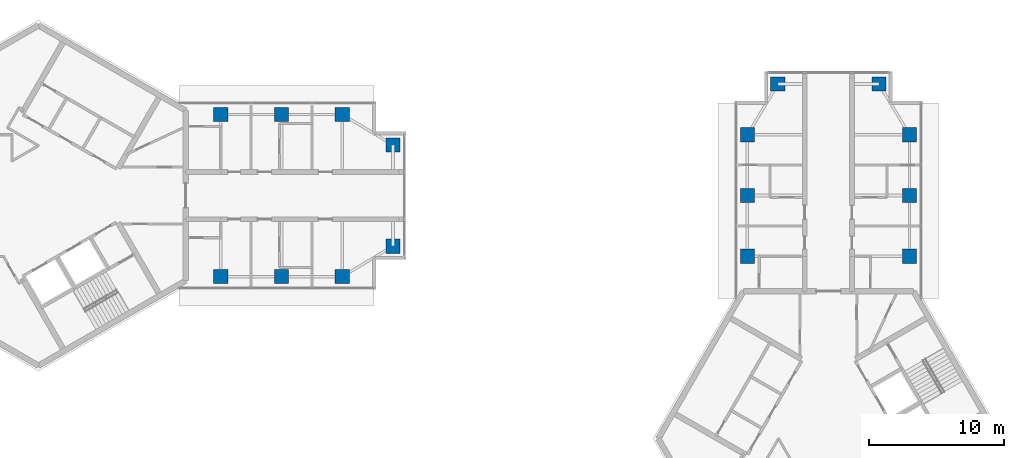
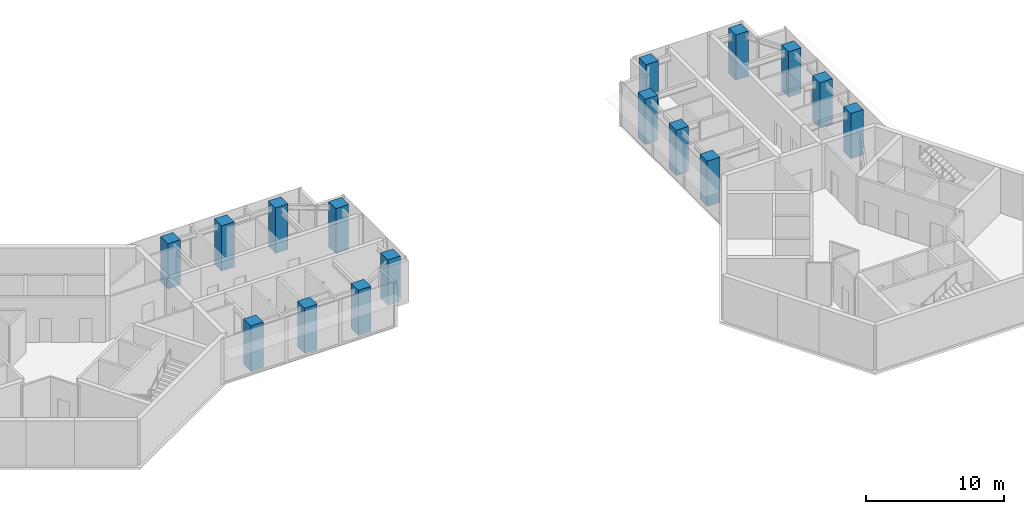
# One storey, part 1 of 11: 16 columns.
"""IFC4 building model written with IfcOpenShell, lengths in metres."""

import ifcopenshell
import ifcopenshell.guid

model = None  # the IFC model being written
_history = None  # IfcOwnerHistory: only IFC2X3 demands one
_inside = {}  # id of a spatial element -> (the spatial element, [elements in it])
_under = {}  # id of a project, library or spatial element -> (it, [spatial elements below it])
_declared = {}  # id of a project -> (the project, [libraries it declares])
_typed = {}  # id of a type object -> (the type object, [elements of that type])
_made_of = {}  # id of a material, layer set ... -> (it, [elements and type objects made of it])


def new_model(schema):
    """Start an empty IFC model of exactly this schema.

    Asked for "IFC4X3", IfcOpenShell would pick the latest addendum, in which some entities
    have other attributes; the version numbers below select the first issue.
    IFC2X3 requires an IfcOwnerHistory on every rooted entity: one is made here for all.
    """
    global model, _history
    if schema == "IFC4X3":
        model = ifcopenshell.file(schema_version=(4, 3, 0, 0))
    else:
        model = ifcopenshell.file(schema=schema)
    _inside.clear()
    _under.clear()
    _declared.clear()
    _typed.clear()
    _made_of.clear()
    _history = None
    if model.schema == "IFC2X3":
        org = make("IfcOrganization", Name="unknown")
        user = make(
            "IfcPersonAndOrganization",
            ThePerson=make("IfcPerson", FamilyName="unknown"),
            TheOrganization=org,
        )
        app = make(
            "IfcApplication",
            ApplicationDeveloper=org,
            Version="unknown",
            ApplicationFullName="unknown",
            ApplicationIdentifier="unknown",
        )
        _history = make(
            "IfcOwnerHistory",
            OwningUser=user,
            OwningApplication=app,
            ChangeAction="ADDED",
            CreationDate=0,
        )
    return model


def make(cls, **values):
    """One entity of the class cls with the attributes given. An attribute that is None is left unset."""
    return model.create_entity(
        cls, **{name: value for name, value in values.items() if value is not None}
    )


def rooted(cls, **values):
    """An entity with a GlobalId (a new one), such as an element, a storey or a relation."""
    return make(cls, GlobalId=ifcopenshell.guid.new(), OwnerHistory=_history, **values)


def si_unit(unit_type, name, prefix=None):
    """IfcSIUnit, for example si_unit("LENGTHUNIT", "METRE", prefix="MILLI")."""
    return make("IfcSIUnit", UnitType=unit_type, Prefix=prefix, Name=name)


def assignment(units):
    """IfcUnitAssignment: the units of a project."""
    return None if units is None else make("IfcUnitAssignment", Units=units)


def point(xyz):
    """IfcCartesianPoint."""
    return None if xyz is None else make("IfcCartesianPoint", Coordinates=xyz)


def direction(xyz):
    """IfcDirection."""
    return None if xyz is None else make("IfcDirection", DirectionRatios=xyz)


def frame(location, z_axis=None, x_axis=None):
    """IfcAxis2Placement3D, a coordinate frame: its origin and axes. An axis left out is left unset."""
    return make(
        "IfcAxis2Placement3D",
        Location=point(location),
        Axis=direction(z_axis),
        RefDirection=direction(x_axis),
    )


def frame_2d(location, x_axis=None):
    """IfcAxis2Placement2D, a coordinate frame in the plane: its origin and x axis."""
    return make(
        "IfcAxis2Placement2D", Location=point(location), RefDirection=direction(x_axis)
    )


def origin():
    """The frame at (0, 0, 0) with its axes left unset."""
    return frame((0.0, 0.0, 0.0))


def origin_2d():
    """The frame at (0, 0) in the plane with its x axis left unset."""
    return frame_2d((0.0, 0.0))


def place(relative_to, where):
    """IfcLocalPlacement: puts the frame where relative to a parent placement (None: the world)."""
    return make(
        "IfcLocalPlacement", PlacementRelTo=relative_to, RelativePlacement=where
    )


def context(
    kind, dimensions, precision=None, world=None, true_north=None, identifier=None
):
    """IfcGeometricRepresentationContext, for example the 3D "Model" context."""
    return make(
        "IfcGeometricRepresentationContext",
        ContextIdentifier=identifier,
        ContextType=kind,
        CoordinateSpaceDimension=dimensions,
        Precision=precision,
        WorldCoordinateSystem=world,
        TrueNorth=true_north,
    )


def subcontext(parent, identifier, kind, view, scale=None):
    """IfcGeometricRepresentationSubContext, for example "Body" below "Model"."""
    return make(
        "IfcGeometricRepresentationSubContext",
        ContextIdentifier=identifier,
        ContextType=kind,
        ParentContext=parent,
        TargetScale=scale,
        TargetView=view,
    )


def project(units=None, contexts=None):
    """IfcProject with its units and contexts."""
    return rooted(
        "IfcProject",
        Name="project",
        RepresentationContexts=contexts,
        UnitsInContext=assignment(units),
    )


def spatial(cls, under=None, at=None, **own):
    """A site, building, storey or space (cls), placed at a placement, below another one or the project."""
    s = rooted(cls, ObjectPlacement=at, **own)
    if under is not None:
        _under.setdefault(under.id(), (under, []))[1].append(s)
    return s


def profile(cls, at=None, kind="AREA", **sizes):
    """A parametric profile (cls). Its sizes go by their IFC names, for example OverallWidth=200.0."""
    return make(cls, ProfileType=kind, Position=at, **sizes)


def rectangle(**sizes):
    """IfcRectangleProfileDef."""
    return profile("IfcRectangleProfileDef", **sizes)


def extrude(swept, where, along, depth):
    """IfcExtrudedAreaSolid: the profile swept, set in the frame where, extruded along a direction by depth."""
    return make(
        "IfcExtrudedAreaSolid",
        SweptArea=swept,
        Position=where,
        ExtrudedDirection=direction(along),
        Depth=depth,
    )


def shape(context_of_items, identifier, shape_type, items):
    """IfcShapeRepresentation: the items that make up one representation, for example the "Body"."""
    return make(
        "IfcShapeRepresentation",
        ContextOfItems=context_of_items,
        RepresentationIdentifier=identifier,
        RepresentationType=shape_type,
        Items=items,
    )


def material(Name=None, Category=None):
    """IfcMaterial."""
    return make("IfcMaterial", Name=Name, Category=Category)


def material_profile(
    of_material, cross_section, Name=None, Category=None, Priority=None
):
    """IfcMaterialProfile: a cross section and its material."""
    return make(
        "IfcMaterialProfile",
        Name=Name,
        Material=of_material,
        Profile=cross_section,
        Priority=Priority,
        Category=Category,
    )


def profile_set(profiles, Name=None, composite=None):
    """IfcMaterialProfileSet."""
    return make(
        "IfcMaterialProfileSet",
        Name=Name,
        MaterialProfiles=profiles,
        CompositeProfile=composite,
    )


def made_of(thing, what):
    """Note that an element or type object is made of a material, layer set ...; save() writes the relation."""
    if what is not None:
        _made_of.setdefault(what.id(), (what, []))[1].append(thing)
    return thing


def type_object(cls, material=None, **own):
    """A type object (cls), such as IfcWallType, which elements share."""
    return made_of(rooted(cls, **own), material)


def element(
    cls,
    number,
    at=None,
    inside=None,
    cuts=None,
    type_object=None,
    material=None,
    context=None,
    identifier="Body",
    shape_type=None,
    held_by="IfcProductDefinitionShape",
    body=None,
    shapes=None,
    **own,
):
    """One element of the class cls, such as IfcWall. Its Tag is "e" and its number.

    at: its placement. inside: the storey or other place that contains it. cuts: it is an
    opening in that element (IfcRelVoidsElement). A single representation is given by context,
    identifier, shape_type and body (its items); several are given by shapes. held_by: the class
    of the entity that holds the representations. save() writes the other relations.
    """
    e = rooted(cls, Tag="e%d" % number, ObjectPlacement=at, **own)
    if body is not None:
        shapes = [shape(context, identifier, shape_type, body)]
    if shapes is not None:
        e.Representation = make(held_by, Representations=shapes)
    if inside is not None:
        _inside.setdefault(inside.id(), (inside, []))[1].append(e)
    if cuts is not None:
        rooted(
            "IfcRelVoidsElement", RelatingBuildingElement=cuts, RelatedOpeningElement=e
        )
    if type_object is not None:
        _typed.setdefault(type_object.id(), (type_object, []))[1].append(e)
    return made_of(e, material)


def aggregate(whole, parts):
    """IfcRelAggregates: a whole, such as a stair, and the parts it consists of."""
    return rooted("IfcRelAggregates", RelatingObject=whole, RelatedObjects=parts)


def save(model, path):
    """Write the relations noted so far, then the file.

    IfcRelAggregates (storeys below a building ...), IfcRelContainedInSpatialStructure (elements
    in a storey), IfcRelDefinesByType, IfcRelAssociatesMaterial and IfcRelDeclares: one each for
    every whole, place, type object, material and project.
    """
    for whole, parts in _under.values():
        aggregate(whole, parts)
    for where, things in _inside.values():
        rooted(
            "IfcRelContainedInSpatialStructure",
            RelatedElements=things,
            RelatingStructure=where,
        )
    for kind, things in _typed.values():
        rooted("IfcRelDefinesByType", RelatedObjects=things, RelatingType=kind)
    for what, things in _made_of.values():
        rooted("IfcRelAssociatesMaterial", RelatedObjects=things, RelatingMaterial=what)
    for by, libraries in _declared.values():
        rooted("IfcRelDeclares", RelatingContext=by, RelatedDefinitions=libraries)
    model.write(path)


model = new_model("IFC4")

# Units and contexts
model_context = context("Model", 3, precision=1e-05, world=origin(), true_north=direction((0.0, 1.0)))
body_context = subcontext(model_context, "Body", "Model", "MODEL_VIEW")
ifc_project = project(units=[si_unit("LENGTHUNIT", "METRE"), si_unit("AREAUNIT", "SQUARE_METRE"), si_unit("VOLUMEUNIT", "CUBIC_METRE"), si_unit("PLANEANGLEUNIT", "RADIAN"), si_unit("MASSUNIT", "GRAM", prefix="KILO")], contexts=[model_context])

# Site, building, storey
site_placement = place(None, origin())
site = spatial("IfcSite", under=ifc_project, at=site_placement, CompositionType="ELEMENT")
building_placement = place(site_placement, origin())
building = spatial("IfcBuilding", under=site, at=building_placement, Name="Upepo Twin Towers", CompositionType="ELEMENT")
storey_placement = place(building_placement, frame((0.0, 0.0, 259.5)))
storey = spatial("IfcBuildingStorey", under=building, at=storey_placement, Name="L63", CompositionType="ELEMENT", Elevation=259.5)

# Columns
ifc_material = material(Name="Concrete C60/75", Category="concrete")
ifc_material_profile = material_profile(ifc_material, rectangle(XDim=1.050048828125, YDim=1.050048828125, at=origin_2d()), Name="RC 1050x1050")
ifc_profile_set = profile_set([ifc_material_profile], Name="Concrete C60/75")
column_type = type_object("IfcColumnType", Name="Tower column RC 1050x1050", PredefinedType="COLUMN", material=ifc_profile_set)
for number, where, z_axis, x_axis, name in (
    (1, (13.5, 6.0, 0.0), (0.0, 0.0, 1.0), (1.0, 0.0, 0.0), "T1 column AL135"),
    (2, (13.5, -6.0, 0.0), (0.0, 0.0, 1.0), (1.0, 0.0, 0.0), "T1 column AR135"),
    (3, (18.0, 6.0, 0.0), (0.0, 0.0, 1.0), (1.0, 0.0, 0.0), "T1 column AL180"),
    (4, (18.0, -6.0, 0.0), (0.0, 0.0, 1.0), (1.0, 0.0, 0.0), "T1 column AR180"),
    (5, (22.5, 6.0, 0.0), (0.0, 0.0, 1.0), (1.0, 0.0, 0.0), "T1 column AL225"),
    (6, (22.5, -6.0, 0.0), (0.0, 0.0, 1.0), (1.0, 0.0, 0.0), "T1 column AR225"),
    (7, (26.25, 3.75, 0.0), (0.0, 0.0, 1.0), (1.0, 0.0, 0.0), "T1 column ALN"),
    (8, (26.25, -3.75, 0.0), (0.0, 0.0, 1.0), (1.0, 0.0, 0.0), "T1 column ARN"),
    (9, (52.5, -4.5, 0.0), (0.0, 0.0, 1.0), (1.0, 0.0, 0.0), "T2 column AL135"),
    (10, (64.5, -4.5, 0.0), (0.0, 0.0, 1.0), (1.0, 0.0, 0.0), "T2 column AR135"),
    (11, (52.5, 0.0, 0.0), (0.0, 0.0, 1.0), (1.0, 0.0, 0.0), "T2 column AL180"),
    (12, (64.5, 0.0, 0.0), (0.0, 0.0, 1.0), (1.0, 0.0, 0.0), "T2 column AR180"),
    (13, (52.5, 4.5, 0.0), (0.0, 0.0, 1.0), (1.0, 0.0, 0.0), "T2 column AL225"),
    (14, (64.5, 4.5, 0.0), (0.0, 0.0, 1.0), (1.0, 0.0, 0.0), "T2 column AR225"),
    (15, (54.75, 8.25, 0.0), (0.0, 0.0, 1.0), (1.0, 0.0, 0.0), "T2 column ALN"),
    (16, (62.25, 8.25, 0.0), (0.0, 0.0, 1.0), (1.0, 0.0, 0.0), "T2 column ARN"),
):
    element("IfcColumn", number, at=place(storey_placement, frame(where, z_axis=z_axis, x_axis=x_axis)), inside=storey, type_object=column_type, Name=name, PredefinedType="COLUMN", context=body_context, shape_type="SweptSolid", body=[
        extrude(rectangle(XDim=1.050048828125, YDim=1.050048828125, at=origin_2d()), origin(), (0.0, 0.0, 1.0), 4.0),
    ])

save(model, "model.ifc")
